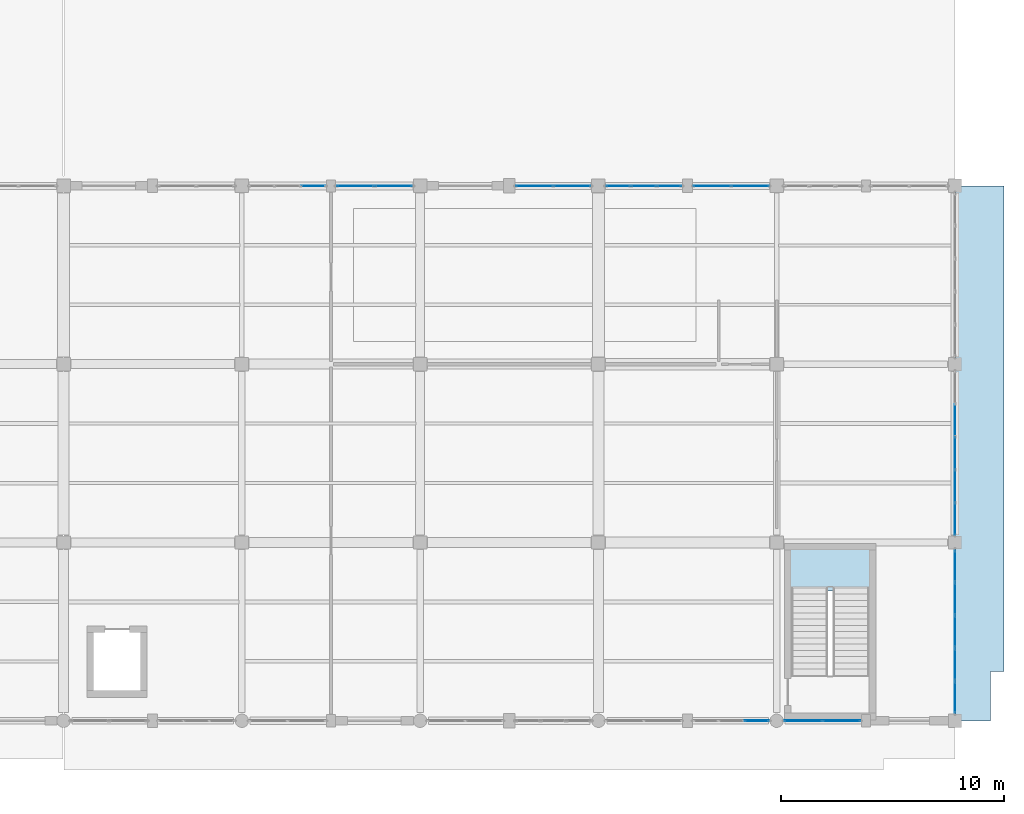
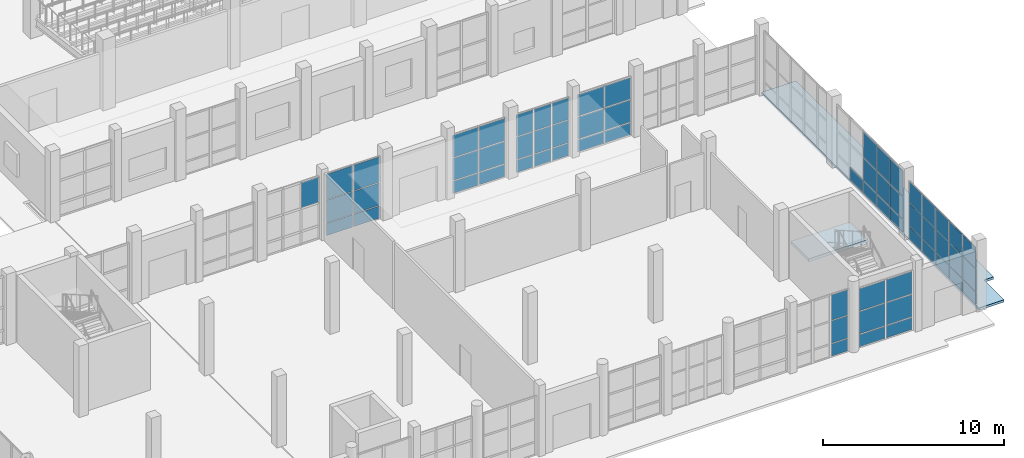
# One storey, part 115 of 156: 62 plates, 2 slabs, 10 elements without a shape of their own.
"""IFC4 building model written with IfcOpenShell, lengths in metres."""

from ifc_helpers import new_model, si_unit, direction, frame, origin, origin_2d, place, context, subcontext, project, spatial, polyline, rectangle, outline, extrude, material, layer, layer_set, type_object, element, aggregate, save


model = new_model("IFC4")

# Units and contexts
model_context = context("Model", 3, precision=1e-05, world=origin(), true_north=direction((0.0, 1.0)))
body_context = subcontext(model_context, "Body", "Model", "MODEL_VIEW")
ifc_project = project(units=[si_unit("LENGTHUNIT", "METRE"), si_unit("AREAUNIT", "SQUARE_METRE"), si_unit("VOLUMEUNIT", "CUBIC_METRE"), si_unit("PLANEANGLEUNIT", "RADIAN"), si_unit("MASSUNIT", "GRAM", prefix="KILO")], contexts=[model_context])

# Site, building, storey
site_placement = place(None, origin())
site = spatial("IfcSite", under=ifc_project, at=site_placement, CompositionType="ELEMENT")
building_placement = place(site_placement, origin())
building = spatial("IfcBuilding", under=site, at=building_placement, Name="Luwemba Playhouse", CompositionType="ELEMENT")
storey_placement = place(building_placement, origin())
storey = spatial("IfcBuildingStorey", under=building, at=storey_placement, Name="L00", CompositionType="ELEMENT", Elevation=0.0)

# Curtain wall, plates
ifc_material_1 = material(Name="Solar-control double glazing", Category="glass")
curtain_wall_type_1 = type_object("IfcCurtainWallType", Name="CW-CW54", PredefinedType="USERDEFINED", material=ifc_material_1)
curtain_wall_1_placement = place(storey_placement, origin())
curtain_wall_1 = element("IfcCurtainWall", 1, at=curtain_wall_1_placement, inside=storey, type_object=curtain_wall_type_1, Name="L00 V5E unitised curtain wall 063", ObjectType="UNITISED GLAZING", PredefinedType="USERDEFINED")
ifc_layer_1 = layer(ifc_material_1, 0.02392578125)
ifc_layer_set_1 = layer_set([ifc_layer_1], Name="Solar-control double glazing")
plate_type_1 = type_object("IfcPlateType", Name="CWP-P1", PredefinedType="CURTAIN_PANEL", material=ifc_layer_set_1)
plate_1_placement = place(storey_placement, frame((153.12744140625, 27.0, 0.06005859375), z_axis=(0.0, 0.0, 1.0), x_axis=(1.0, 0.0, 0.0)))
plate_1 = element("IfcPlate", 2, at=plate_1_placement, type_object=plate_type_1, Name="CW54 panel 1.1", PredefinedType="CURTAIN_PANEL", context=body_context, shape_type="SweptSolid", body=[
    extrude(rectangle(XDim=1.635009765625, YDim=0.02392578125, at=origin_2d()), origin(), (0.0, 0.0, 1.0), 0.81005859375),
])
plate_2_placement = place(storey_placement, frame((153.12744140625, 27.0, 0.93017578125), z_axis=(0.0, 0.0, 1.0), x_axis=(1.0, 0.0, 0.0)))
plate_2 = element("IfcPlate", 3, at=plate_2_placement, type_object=plate_type_1, Name="CW54 panel 1.2", PredefinedType="CURTAIN_PANEL", context=body_context, shape_type="SweptSolid", body=[
    extrude(rectangle(XDim=1.635009765625, YDim=0.02392578125, at=origin_2d()), origin(), (0.0, 0.0, 1.0), 1.489990234375),
])
plate_3_placement = place(storey_placement, frame((153.12744140625, 27.0, 2.47998046875), z_axis=(0.0, 0.0, 1.0), x_axis=(1.0, 0.0, 0.0)))
plate_3 = element("IfcPlate", 4, at=plate_3_placement, type_object=plate_type_1, Name="CW54 panel 1.3", PredefinedType="CURTAIN_PANEL", context=body_context, shape_type="SweptSolid", body=[
    extrude(rectangle(XDim=1.635009765625, YDim=0.02392578125, at=origin_2d()), origin(), (0.0, 0.0, 1.0), 1.4951171875),
])
plate_4_placement = place(storey_placement, frame((154.822509765625, 27.0, 0.06005859375), z_axis=(0.0, 0.0, 1.0), x_axis=(1.0, 0.0, 0.0)))
plate_4 = element("IfcPlate", 5, at=plate_4_placement, type_object=plate_type_1, Name="CW54 panel 2.1", PredefinedType="CURTAIN_PANEL", context=body_context, shape_type="SweptSolid", body=[
    extrude(rectangle(XDim=1.635009765625, YDim=0.02392578125, at=origin_2d()), origin(), (0.0, 0.0, 1.0), 0.81005859375),
])
plate_5_placement = place(storey_placement, frame((154.822509765625, 27.0, 0.93017578125), z_axis=(0.0, 0.0, 1.0), x_axis=(1.0, 0.0, 0.0)))
plate_5 = element("IfcPlate", 6, at=plate_5_placement, type_object=plate_type_1, Name="CW54 panel 2.2", PredefinedType="CURTAIN_PANEL", context=body_context, shape_type="SweptSolid", body=[
    extrude(rectangle(XDim=1.635009765625, YDim=0.02392578125, at=origin_2d()), origin(), (0.0, 0.0, 1.0), 1.489990234375),
])
plate_6_placement = place(storey_placement, frame((154.822509765625, 27.0, 2.47998046875), z_axis=(0.0, 0.0, 1.0), x_axis=(1.0, 0.0, 0.0)))
plate_6 = element("IfcPlate", 7, at=plate_6_placement, type_object=plate_type_1, Name="CW54 panel 2.3", PredefinedType="CURTAIN_PANEL", context=body_context, shape_type="SweptSolid", body=[
    extrude(rectangle(XDim=1.635009765625, YDim=0.02392578125, at=origin_2d()), origin(), (0.0, 0.0, 1.0), 1.4951171875),
])
aggregate(curtain_wall_1, [plate_1, plate_2, plate_3, plate_4, plate_5, plate_6])

curtain_wall_type_2 = type_object("IfcCurtainWallType", Name="CW-CW60", PredefinedType="USERDEFINED", material=ifc_material_1)
curtain_wall_2_placement = place(storey_placement, origin())
curtain_wall_2 = element("IfcCurtainWall", 8, at=curtain_wall_2_placement, inside=storey, type_object=curtain_wall_type_2, Name="L00 V5E unitised curtain wall 071", ObjectType="UNITISED GLAZING", PredefinedType="USERDEFINED")
plate_7_placement = place(storey_placement, frame((166.909912109375, 3.0, 0.06005859375), z_axis=(0.0, 0.0, 1.0), x_axis=(-1.0, 0.0, 0.0)))
plate_7 = element("IfcPlate", 9, at=plate_7_placement, type_object=plate_type_1, Name="CW60 panel 1.1", PredefinedType="CURTAIN_PANEL", context=body_context, shape_type="SweptSolid", body=[
    extrude(rectangle(XDim=1.659912109375, YDim=0.02392578125, at=origin_2d()), origin(), (0.0, 0.0, 1.0), 0.81005859375),
])
plate_8_placement = place(storey_placement, frame((166.909912109375, 3.0, 0.93017578125), z_axis=(0.0, 0.0, 1.0), x_axis=(-1.0, 0.0, 0.0)))
plate_8 = element("IfcPlate", 10, at=plate_8_placement, type_object=plate_type_1, Name="CW60 panel 1.2", PredefinedType="CURTAIN_PANEL", context=body_context, shape_type="SweptSolid", body=[
    extrude(rectangle(XDim=1.659912109375, YDim=0.02392578125, at=origin_2d()), origin(), (0.0, 0.0, 1.0), 1.489990234375),
])
plate_9_placement = place(storey_placement, frame((166.909912109375, 3.0, 2.47998046875), z_axis=(0.0, 0.0, 1.0), x_axis=(-1.0, 0.0, 0.0)))
plate_9 = element("IfcPlate", 11, at=plate_9_placement, type_object=plate_type_1, Name="CW60 panel 1.3", PredefinedType="CURTAIN_PANEL", context=body_context, shape_type="SweptSolid", body=[
    extrude(rectangle(XDim=1.659912109375, YDim=0.02392578125, at=origin_2d()), origin(), (0.0, 0.0, 1.0), 1.4951171875),
])
plate_10_placement = place(storey_placement, frame((165.18994140625, 3.0, 0.06005859375), z_axis=(0.0, 0.0, 1.0), x_axis=(-1.0, 0.0, 0.0)))
plate_10 = element("IfcPlate", 12, at=plate_10_placement, type_object=plate_type_1, Name="CW60 panel 2.1", PredefinedType="CURTAIN_PANEL", context=body_context, shape_type="SweptSolid", body=[
    extrude(rectangle(XDim=1.659912109375, YDim=0.02392578125, at=origin_2d()), origin(), (0.0, 0.0, 1.0), 0.81005859375),
])
plate_11_placement = place(storey_placement, frame((165.18994140625, 3.0, 0.93017578125), z_axis=(0.0, 0.0, 1.0), x_axis=(-1.0, 0.0, 0.0)))
plate_11 = element("IfcPlate", 13, at=plate_11_placement, type_object=plate_type_1, Name="CW60 panel 2.2", PredefinedType="CURTAIN_PANEL", context=body_context, shape_type="SweptSolid", body=[
    extrude(rectangle(XDim=1.659912109375, YDim=0.02392578125, at=origin_2d()), origin(), (0.0, 0.0, 1.0), 1.489990234375),
])
plate_12_placement = place(storey_placement, frame((165.18994140625, 3.0, 2.47998046875), z_axis=(0.0, 0.0, 1.0), x_axis=(-1.0, 0.0, 0.0)))
plate_12 = element("IfcPlate", 14, at=plate_12_placement, type_object=plate_type_1, Name="CW60 panel 2.3", PredefinedType="CURTAIN_PANEL", context=body_context, shape_type="SweptSolid", body=[
    extrude(rectangle(XDim=1.659912109375, YDim=0.02392578125, at=origin_2d()), origin(), (0.0, 0.0, 1.0), 1.4951171875),
])
aggregate(curtain_wall_2, [plate_7, plate_8, plate_9, plate_10, plate_11, plate_12])

curtain_wall_type_3 = type_object("IfcCurtainWallType", Name="CW-CW16", PredefinedType="USERDEFINED", material=ifc_material_1)
curtain_wall_3_placement = place(storey_placement, origin())
curtain_wall_3 = element("IfcCurtainWall", 15, at=curtain_wall_3_placement, inside=storey, type_object=curtain_wall_type_3, Name="L00 V5E unitised curtain wall 064", ObjectType="UNITISED GLAZING", PredefinedType="USERDEFINED")
ifc_layer_2 = layer(ifc_material_1, 0.028076171875)
ifc_layer_set_2 = layer_set([ifc_layer_2], Name="Solar-control double glazing")
plate_type_2 = type_object("IfcPlateType", Name="CWP-P2", PredefinedType="CURTAIN_PANEL", material=ifc_layer_set_2)
plate_13_placement = place(storey_placement, frame((156.8955078125, 27.0, 0.05517578125), z_axis=(0.0, 0.0, 1.0), x_axis=(1.0, 0.0, 0.0)))
plate_13 = element("IfcPlate", 16, at=plate_13_placement, type_object=plate_type_2, Name="CW16 panel 1.1", PredefinedType="CURTAIN_PANEL", context=body_context, shape_type="SweptSolid", body=[
    extrude(rectangle(XDim=1.060791015625, YDim=0.028076171875, at=origin_2d()), origin(), (0.0, 0.0, 1.0), 0.8173828125),
])
plate_14_placement = place(storey_placement, frame((156.8955078125, 27.0, 0.927490234375), z_axis=(0.0, 0.0, 1.0), x_axis=(1.0, 0.0, 0.0)))
plate_14 = element("IfcPlate", 17, at=plate_14_placement, type_object=plate_type_2, Name="CW16 panel 1.2", PredefinedType="CURTAIN_PANEL", context=body_context, shape_type="SweptSolid", body=[
    extrude(rectangle(XDim=1.060791015625, YDim=0.028076171875, at=origin_2d()), origin(), (0.0, 0.0, 1.0), 1.4951171875),
])
plate_15_placement = place(storey_placement, frame((156.8955078125, 27.0, 2.4775390625), z_axis=(0.0, 0.0, 1.0), x_axis=(1.0, 0.0, 0.0)))
plate_15 = element("IfcPlate", 18, at=plate_15_placement, type_object=plate_type_2, Name="CW16 panel 1.3", PredefinedType="CURTAIN_PANEL", context=body_context, shape_type="SweptSolid", body=[
    extrude(rectangle(XDim=1.060791015625, YDim=0.028076171875, at=origin_2d()), origin(), (0.0, 0.0, 1.0), 1.452392578125),
])
plate_16_placement = place(storey_placement, frame((158.03759765625, 27.0, 0.05517578125), z_axis=(0.0, 0.0, 1.0), x_axis=(1.0, 0.0, 0.0)))
plate_16 = element("IfcPlate", 19, at=plate_16_placement, type_object=plate_type_2, Name="CW16 panel 2.1", PredefinedType="CURTAIN_PANEL", context=body_context, shape_type="SweptSolid", body=[
    extrude(rectangle(XDim=1.09326171875, YDim=0.028076171875, at=origin_2d()), origin(), (0.0, 0.0, 1.0), 0.8173828125),
])
plate_17_placement = place(storey_placement, frame((158.03759765625, 27.0, 0.927490234375), z_axis=(0.0, 0.0, 1.0), x_axis=(1.0, 0.0, 0.0)))
plate_17 = element("IfcPlate", 20, at=plate_17_placement, type_object=plate_type_2, Name="CW16 panel 2.2", PredefinedType="CURTAIN_PANEL", context=body_context, shape_type="SweptSolid", body=[
    extrude(rectangle(XDim=1.09326171875, YDim=0.028076171875, at=origin_2d()), origin(), (0.0, 0.0, 1.0), 1.4951171875),
])
plate_18_placement = place(storey_placement, frame((158.03759765625, 27.0, 2.4775390625), z_axis=(0.0, 0.0, 1.0), x_axis=(1.0, 0.0, 0.0)))
plate_18 = element("IfcPlate", 21, at=plate_18_placement, type_object=plate_type_2, Name="CW16 panel 2.3", PredefinedType="CURTAIN_PANEL", context=body_context, shape_type="SweptSolid", body=[
    extrude(rectangle(XDim=1.09326171875, YDim=0.028076171875, at=origin_2d()), origin(), (0.0, 0.0, 1.0), 1.452392578125),
])
plate_19_placement = place(storey_placement, frame((159.1796875, 27.0, 0.05517578125), z_axis=(0.0, 0.0, 1.0), x_axis=(1.0, 0.0, 0.0)))
plate_19 = element("IfcPlate", 22, at=plate_19_placement, type_object=plate_type_2, Name="CW16 panel 3.1", PredefinedType="CURTAIN_PANEL", context=body_context, shape_type="SweptSolid", body=[
    extrude(rectangle(XDim=1.060791015625, YDim=0.028076171875, at=origin_2d()), origin(), (0.0, 0.0, 1.0), 0.8173828125),
])
plate_20_placement = place(storey_placement, frame((159.1796875, 27.0, 0.927490234375), z_axis=(0.0, 0.0, 1.0), x_axis=(1.0, 0.0, 0.0)))
plate_20 = element("IfcPlate", 23, at=plate_20_placement, type_object=plate_type_2, Name="CW16 panel 3.2", PredefinedType="CURTAIN_PANEL", context=body_context, shape_type="SweptSolid", body=[
    extrude(rectangle(XDim=1.060791015625, YDim=0.028076171875, at=origin_2d()), origin(), (0.0, 0.0, 1.0), 1.4951171875),
])
plate_21_placement = place(storey_placement, frame((159.1796875, 27.0, 2.4775390625), z_axis=(0.0, 0.0, 1.0), x_axis=(1.0, 0.0, 0.0)))
plate_21 = element("IfcPlate", 24, at=plate_21_placement, type_object=plate_type_2, Name="CW16 panel 3.3", PredefinedType="CURTAIN_PANEL", context=body_context, shape_type="SweptSolid", body=[
    extrude(rectangle(XDim=1.060791015625, YDim=0.028076171875, at=origin_2d()), origin(), (0.0, 0.0, 1.0), 1.452392578125),
])
aggregate(curtain_wall_3, [plate_13, plate_14, plate_15, plate_16, plate_17, plate_18, plate_19, plate_20, plate_21])

curtain_wall_type_4 = type_object("IfcCurtainWallType", Name="CW-CW61", PredefinedType="USERDEFINED", material=ifc_material_1)
curtain_wall_4_placement = place(storey_placement, origin())
curtain_wall_4 = element("IfcCurtainWall", 25, at=curtain_wall_4_placement, inside=storey, type_object=curtain_wall_type_4, Name="L00 V5E unitised curtain wall 072", ObjectType="UNITISED GLAZING", PredefinedType="USERDEFINED")
plate_22_placement = place(storey_placement, frame((163.1044921875, 3.0, 0.05517578125), z_axis=(0.0, 0.0, 1.0), x_axis=(-1.0, 0.0, 0.0)))
plate_22 = element("IfcPlate", 26, at=plate_22_placement, type_object=plate_type_2, Name="CW61 panel 1.1", PredefinedType="CURTAIN_PANEL", context=body_context, shape_type="SweptSolid", body=[
    extrude(rectangle(XDim=1.060791015625, YDim=0.028076171875, at=origin_2d()), origin(), (0.0, 0.0, 1.0), 0.8173828125),
])
plate_23_placement = place(storey_placement, frame((163.1044921875, 3.0, 0.927490234375), z_axis=(0.0, 0.0, 1.0), x_axis=(-1.0, 0.0, 0.0)))
plate_23 = element("IfcPlate", 27, at=plate_23_placement, type_object=plate_type_2, Name="CW61 panel 1.2", PredefinedType="CURTAIN_PANEL", context=body_context, shape_type="SweptSolid", body=[
    extrude(rectangle(XDim=1.060791015625, YDim=0.028076171875, at=origin_2d()), origin(), (0.0, 0.0, 1.0), 1.4951171875),
])
plate_24_placement = place(storey_placement, frame((163.1044921875, 3.0, 2.4775390625), z_axis=(0.0, 0.0, 1.0), x_axis=(-1.0, 0.0, 0.0)))
plate_24 = element("IfcPlate", 28, at=plate_24_placement, type_object=plate_type_2, Name="CW61 panel 1.3", PredefinedType="CURTAIN_PANEL", context=body_context, shape_type="SweptSolid", body=[
    extrude(rectangle(XDim=1.060791015625, YDim=0.028076171875, at=origin_2d()), origin(), (0.0, 0.0, 1.0), 1.702392578125),
])
aggregate(curtain_wall_4, [plate_22, plate_23, plate_24])

# Curtain wall, plate
curtain_wall_type_5 = type_object("IfcCurtainWallType", Name="CW-CW52", PredefinedType="USERDEFINED", material=ifc_material_1)
curtain_wall_5_placement = place(storey_placement, origin())
curtain_wall_5 = element("IfcCurtainWall", 29, at=curtain_wall_5_placement, inside=storey, type_object=curtain_wall_type_5, Name="L00 V5E unitised curtain wall 061", ObjectType="UNITISED GLAZING", PredefinedType="USERDEFINED")
ifc_layer_3 = layer(ifc_material_1, 0.031982421875)
ifc_layer_set_3 = layer_set([ifc_layer_3], Name="Solar-control double glazing")
plate_type_3 = type_object("IfcPlateType", Name="CWP-P3", PredefinedType="CURTAIN_PANEL", material=ifc_layer_set_3)
plate_25_placement = place(storey_placement, frame((143.202880859375, 27.0, 2.482421875), z_axis=(0.0, 0.0, 1.0), x_axis=(1.0, 0.0, 0.0)))
plate_25 = element("IfcPlate", 30, at=plate_25_placement, type_object=plate_type_3, Name="CW52 panel 3.3", PredefinedType="CURTAIN_PANEL", context=body_context, shape_type="SweptSolid", body=[
    extrude(rectangle(XDim=1.084228515625, YDim=0.031982421875, at=origin_2d()), origin(), (0.0, 0.0, 1.0), 1.6875),
])
aggregate(curtain_wall_5, [plate_25])

# Curtain wall, plates
curtain_wall_type_6 = type_object("IfcCurtainWallType", Name="CW-CW55", PredefinedType="USERDEFINED", material=ifc_material_1)
curtain_wall_6_placement = place(storey_placement, origin())
curtain_wall_6 = element("IfcCurtainWall", 31, at=curtain_wall_6_placement, inside=storey, type_object=curtain_wall_type_6, Name="L00 V5E unitised curtain wall 065", ObjectType="UNITISED GLAZING", PredefinedType="USERDEFINED")
plate_26_placement = place(storey_placement, frame((161.107421875, 27.0, 0.06494140625), z_axis=(0.0, 0.0, 1.0), x_axis=(1.0, 0.0, 0.0)))
plate_26 = element("IfcPlate", 32, at=plate_26_placement, type_object=plate_type_3, Name="CW55 panel 1.1", PredefinedType="CURTAIN_PANEL", context=body_context, shape_type="SweptSolid", body=[
    extrude(rectangle(XDim=1.655029296875, YDim=0.031982421875, at=origin_2d()), origin(), (0.0, 0.0, 1.0), 0.802490234375),
])
plate_27_placement = place(storey_placement, frame((161.107421875, 27.0, 0.9326171875), z_axis=(0.0, 0.0, 1.0), x_axis=(1.0, 0.0, 0.0)))
plate_27 = element("IfcPlate", 33, at=plate_27_placement, type_object=plate_type_3, Name="CW55 panel 1.2", PredefinedType="CURTAIN_PANEL", context=body_context, shape_type="SweptSolid", body=[
    extrude(rectangle(XDim=1.655029296875, YDim=0.031982421875, at=origin_2d()), origin(), (0.0, 0.0, 1.0), 1.485107421875),
])
plate_28_placement = place(storey_placement, frame((161.107421875, 27.0, 2.482421875), z_axis=(0.0, 0.0, 1.0), x_axis=(1.0, 0.0, 0.0)))
plate_28 = element("IfcPlate", 34, at=plate_28_placement, type_object=plate_type_3, Name="CW55 panel 1.3", PredefinedType="CURTAIN_PANEL", context=body_context, shape_type="SweptSolid", body=[
    extrude(rectangle(XDim=1.655029296875, YDim=0.031982421875, at=origin_2d()), origin(), (0.0, 0.0, 1.0), 1.4375),
])
plate_29_placement = place(storey_placement, frame((162.8173828125, 27.0, 0.06494140625), z_axis=(0.0, 0.0, 1.0), x_axis=(1.0, 0.0, 0.0)))
plate_29 = element("IfcPlate", 35, at=plate_29_placement, type_object=plate_type_3, Name="CW55 panel 2.1", PredefinedType="CURTAIN_PANEL", context=body_context, shape_type="SweptSolid", body=[
    extrude(rectangle(XDim=1.655029296875, YDim=0.031982421875, at=origin_2d()), origin(), (0.0, 0.0, 1.0), 0.802490234375),
])
plate_30_placement = place(storey_placement, frame((162.8173828125, 27.0, 0.9326171875), z_axis=(0.0, 0.0, 1.0), x_axis=(1.0, 0.0, 0.0)))
plate_30 = element("IfcPlate", 36, at=plate_30_placement, type_object=plate_type_3, Name="CW55 panel 2.2", PredefinedType="CURTAIN_PANEL", context=body_context, shape_type="SweptSolid", body=[
    extrude(rectangle(XDim=1.655029296875, YDim=0.031982421875, at=origin_2d()), origin(), (0.0, 0.0, 1.0), 1.485107421875),
])
plate_31_placement = place(storey_placement, frame((162.8173828125, 27.0, 2.482421875), z_axis=(0.0, 0.0, 1.0), x_axis=(1.0, 0.0, 0.0)))
plate_31 = element("IfcPlate", 37, at=plate_31_placement, type_object=plate_type_3, Name="CW55 panel 2.3", PredefinedType="CURTAIN_PANEL", context=body_context, shape_type="SweptSolid", body=[
    extrude(rectangle(XDim=1.655029296875, YDim=0.031982421875, at=origin_2d()), origin(), (0.0, 0.0, 1.0), 1.4375),
])
aggregate(curtain_wall_6, [plate_26, plate_27, plate_28, plate_29, plate_30, plate_31])

curtain_wall_type_7 = type_object("IfcCurtainWallType", Name="CW-CW59", PredefinedType="USERDEFINED", material=ifc_material_1)
curtain_wall_7_placement = place(storey_placement, origin())
curtain_wall_7 = element("IfcCurtainWall", 38, at=curtain_wall_7_placement, inside=storey, type_object=curtain_wall_type_7, Name="L00 V5E unitised curtain wall 069", ObjectType="UNITISED GLAZING", PredefinedType="USERDEFINED")
plate_32_placement = place(storey_placement, frame((172.0, 16.47998046875, 0.06494140625), z_axis=(0.0, 0.0, 1.0), x_axis=(0.0, -1.0, 0.0)))
plate_32 = element("IfcPlate", 39, at=plate_32_placement, type_object=plate_type_3, Name="CW59 panel 2.1", PredefinedType="CURTAIN_PANEL", context=body_context, shape_type="SweptSolid", body=[
    extrude(rectangle(XDim=1.425048828125, YDim=0.031982421875, at=origin_2d()), origin(), (0.0, 0.0, 1.0), 0.802490234375),
])
plate_33_placement = place(storey_placement, frame((172.0, 15.0, 0.06494140625), z_axis=(0.0, 0.0, 1.0), x_axis=(0.0, -1.0, 0.0)))
plate_33 = element("IfcPlate", 40, at=plate_33_placement, type_object=plate_type_3, Name="CW59 panel 3.1", PredefinedType="CURTAIN_PANEL", context=body_context, shape_type="SweptSolid", body=[
    extrude(rectangle(XDim=1.425048828125, YDim=0.031982421875, at=origin_2d()), origin(), (0.0, 0.0, 1.0), 0.802490234375),
])
plate_34_placement = place(storey_placement, frame((172.0, 15.0, 0.9326171875), z_axis=(0.0, 0.0, 1.0), x_axis=(0.0, -1.0, 0.0)))
plate_34 = element("IfcPlate", 41, at=plate_34_placement, type_object=plate_type_3, Name="CW59 panel 3.2", PredefinedType="CURTAIN_PANEL", context=body_context, shape_type="SweptSolid", body=[
    extrude(rectangle(XDim=1.425048828125, YDim=0.031982421875, at=origin_2d()), origin(), (0.0, 0.0, 1.0), 1.485107421875),
])
plate_35_placement = place(storey_placement, frame((172.0, 15.0, 2.482421875), z_axis=(0.0, 0.0, 1.0), x_axis=(0.0, -1.0, 0.0)))
plate_35 = element("IfcPlate", 42, at=plate_35_placement, type_object=plate_type_3, Name="CW59 panel 3.3", PredefinedType="CURTAIN_PANEL", context=body_context, shape_type="SweptSolid", body=[
    extrude(rectangle(XDim=1.425048828125, YDim=0.031982421875, at=origin_2d()), origin(), (0.0, 0.0, 1.0), 1.6875),
])
plate_36_placement = place(storey_placement, frame((172.0, 13.52001953125, 0.06494140625), z_axis=(0.0, 0.0, 1.0), x_axis=(0.0, -1.0, 0.0)))
plate_36 = element("IfcPlate", 43, at=plate_36_placement, type_object=plate_type_3, Name="CW59 panel 4.1", PredefinedType="CURTAIN_PANEL", context=body_context, shape_type="SweptSolid", body=[
    extrude(rectangle(XDim=1.425048828125, YDim=0.031982421875, at=origin_2d()), origin(), (0.0, 0.0, 1.0), 0.802490234375),
])
plate_37_placement = place(storey_placement, frame((172.0, 13.52001953125, 0.9326171875), z_axis=(0.0, 0.0, 1.0), x_axis=(0.0, -1.0, 0.0)))
plate_37 = element("IfcPlate", 44, at=plate_37_placement, type_object=plate_type_3, Name="CW59 panel 4.2", PredefinedType="CURTAIN_PANEL", context=body_context, shape_type="SweptSolid", body=[
    extrude(rectangle(XDim=1.425048828125, YDim=0.031982421875, at=origin_2d()), origin(), (0.0, 0.0, 1.0), 1.485107421875),
])
plate_38_placement = place(storey_placement, frame((172.0, 13.52001953125, 2.482421875), z_axis=(0.0, 0.0, 1.0), x_axis=(0.0, -1.0, 0.0)))
plate_38 = element("IfcPlate", 45, at=plate_38_placement, type_object=plate_type_3, Name="CW59 panel 4.3", PredefinedType="CURTAIN_PANEL", context=body_context, shape_type="SweptSolid", body=[
    extrude(rectangle(XDim=1.425048828125, YDim=0.031982421875, at=origin_2d()), origin(), (0.0, 0.0, 1.0), 1.6875),
])
plate_39_placement = place(storey_placement, frame((172.0, 12.0537109375, 0.06494140625), z_axis=(0.0, 0.0, 1.0), x_axis=(0.0, -1.0, 0.0)))
plate_39 = element("IfcPlate", 46, at=plate_39_placement, type_object=plate_type_3, Name="CW59 panel 5.1", PredefinedType="CURTAIN_PANEL", context=body_context, shape_type="SweptSolid", body=[
    extrude(rectangle(XDim=1.3974609375, YDim=0.031982421875, at=origin_2d()), origin(), (0.0, 0.0, 1.0), 0.802490234375),
])
plate_40_placement = place(storey_placement, frame((172.0, 12.0537109375, 0.9326171875), z_axis=(0.0, 0.0, 1.0), x_axis=(0.0, -1.0, 0.0)))
plate_40 = element("IfcPlate", 47, at=plate_40_placement, type_object=plate_type_3, Name="CW59 panel 5.2", PredefinedType="CURTAIN_PANEL", context=body_context, shape_type="SweptSolid", body=[
    extrude(rectangle(XDim=1.3974609375, YDim=0.031982421875, at=origin_2d()), origin(), (0.0, 0.0, 1.0), 1.485107421875),
])
plate_41_placement = place(storey_placement, frame((172.0, 12.0537109375, 2.482421875), z_axis=(0.0, 0.0, 1.0), x_axis=(0.0, -1.0, 0.0)))
plate_41 = element("IfcPlate", 48, at=plate_41_placement, type_object=plate_type_3, Name="CW59 panel 5.3", PredefinedType="CURTAIN_PANEL", context=body_context, shape_type="SweptSolid", body=[
    extrude(rectangle(XDim=1.3974609375, YDim=0.031982421875, at=origin_2d()), origin(), (0.0, 0.0, 1.0), 1.6875),
])
aggregate(curtain_wall_7, [plate_32, plate_33, plate_34, plate_35, plate_36, plate_37, plate_38, plate_39, plate_40, plate_41])

curtain_wall_type_8 = type_object("IfcCurtainWallType", Name="CW-CW53", PredefinedType="USERDEFINED", material=ifc_material_1)
curtain_wall_8_placement = place(storey_placement, origin())
curtain_wall_8 = element("IfcCurtainWall", 49, at=curtain_wall_8_placement, inside=storey, type_object=curtain_wall_type_8, Name="L00 V5E unitised curtain wall 062", ObjectType="UNITISED GLAZING", PredefinedType="USERDEFINED")
ifc_layer_4 = layer(ifc_material_1, 0.035888671875)
ifc_layer_set_4 = layer_set([ifc_layer_4], Name="Solar-control double glazing")
plate_type_4 = type_object("IfcPlateType", Name="CWP-P4", PredefinedType="CURTAIN_PANEL", material=ifc_layer_set_4)
plate_42_placement = place(storey_placement, frame((145.092529296875, 27.0, 0.0498046875), z_axis=(0.0, 0.0, 1.0), x_axis=(1.0, 0.0, 0.0)))
plate_42 = element("IfcPlate", 50, at=plate_42_placement, type_object=plate_type_4, Name="CW53 panel 1.1", PredefinedType="CURTAIN_PANEL", context=body_context, shape_type="SweptSolid", body=[
    extrude(rectangle(XDim=1.64501953125, YDim=0.035888671875, at=origin_2d()), origin(), (0.0, 0.0, 1.0), 0.824951171875),
])
plate_43_placement = place(storey_placement, frame((145.092529296875, 27.0, 0.925048828125), z_axis=(0.0, 0.0, 1.0), x_axis=(1.0, 0.0, 0.0)))
plate_43 = element("IfcPlate", 51, at=plate_43_placement, type_object=plate_type_4, Name="CW53 panel 1.2", PredefinedType="CURTAIN_PANEL", context=body_context, shape_type="SweptSolid", body=[
    extrude(rectangle(XDim=1.64501953125, YDim=0.035888671875, at=origin_2d()), origin(), (0.0, 0.0, 1.0), 1.5),
])
plate_44_placement = place(storey_placement, frame((145.092529296875, 27.0, 2.47509765625), z_axis=(0.0, 0.0, 1.0), x_axis=(1.0, 0.0, 0.0)))
plate_44 = element("IfcPlate", 52, at=plate_44_placement, type_object=plate_type_4, Name="CW53 panel 1.3", PredefinedType="CURTAIN_PANEL", context=body_context, shape_type="SweptSolid", body=[
    extrude(rectangle(XDim=1.64501953125, YDim=0.035888671875, at=origin_2d()), origin(), (0.0, 0.0, 1.0), 1.7099609375),
])
plate_45_placement = place(storey_placement, frame((146.8076171875, 27.0, 0.0498046875), z_axis=(0.0, 0.0, 1.0), x_axis=(1.0, 0.0, 0.0)))
plate_45 = element("IfcPlate", 53, at=plate_45_placement, type_object=plate_type_4, Name="CW53 panel 2.1", PredefinedType="CURTAIN_PANEL", context=body_context, shape_type="SweptSolid", body=[
    extrude(rectangle(XDim=1.64501953125, YDim=0.035888671875, at=origin_2d()), origin(), (0.0, 0.0, 1.0), 0.824951171875),
])
plate_46_placement = place(storey_placement, frame((146.8076171875, 27.0, 0.925048828125), z_axis=(0.0, 0.0, 1.0), x_axis=(1.0, 0.0, 0.0)))
plate_46 = element("IfcPlate", 54, at=plate_46_placement, type_object=plate_type_4, Name="CW53 panel 2.2", PredefinedType="CURTAIN_PANEL", context=body_context, shape_type="SweptSolid", body=[
    extrude(rectangle(XDim=1.64501953125, YDim=0.035888671875, at=origin_2d()), origin(), (0.0, 0.0, 1.0), 1.5),
])
plate_47_placement = place(storey_placement, frame((146.8076171875, 27.0, 2.47509765625), z_axis=(0.0, 0.0, 1.0), x_axis=(1.0, 0.0, 0.0)))
plate_47 = element("IfcPlate", 55, at=plate_47_placement, type_object=plate_type_4, Name="CW53 panel 2.3", PredefinedType="CURTAIN_PANEL", context=body_context, shape_type="SweptSolid", body=[
    extrude(rectangle(XDim=1.64501953125, YDim=0.035888671875, at=origin_2d()), origin(), (0.0, 0.0, 1.0), 1.7099609375),
])
aggregate(curtain_wall_8, [plate_42, plate_43, plate_44, plate_45, plate_46, plate_47])

curtain_wall_type_9 = type_object("IfcCurtainWallType", Name="CW-CW06", PredefinedType="USERDEFINED", material=ifc_material_1)
curtain_wall_9_placement = place(storey_placement, origin())
curtain_wall_9 = element("IfcCurtainWall", 56, at=curtain_wall_9_placement, inside=storey, type_object=curtain_wall_type_9, Name="L00 V5E unitised curtain wall 070", ObjectType="UNITISED GLAZING", PredefinedType="USERDEFINED")
plate_48_placement = place(storey_placement, frame((172.0, 9.9423828125, 0.0498046875), z_axis=(0.0, 0.0, 1.0), x_axis=(0.0, -1.0, 0.0)))
plate_48 = element("IfcPlate", 57, at=plate_48_placement, type_object=plate_type_4, Name="CW06 panel 1.1", PredefinedType="CURTAIN_PANEL", context=body_context, shape_type="SweptSolid", body=[
    extrude(rectangle(XDim=1.375, YDim=0.035888671875, at=origin_2d()), origin(), (0.0, 0.0, 1.0), 0.824951171875),
])
plate_49_placement = place(storey_placement, frame((172.0, 9.9423828125, 0.925048828125), z_axis=(0.0, 0.0, 1.0), x_axis=(0.0, -1.0, 0.0)))
plate_49 = element("IfcPlate", 58, at=plate_49_placement, type_object=plate_type_4, Name="CW06 panel 1.2", PredefinedType="CURTAIN_PANEL", context=body_context, shape_type="SweptSolid", body=[
    extrude(rectangle(XDim=1.375, YDim=0.035888671875, at=origin_2d()), origin(), (0.0, 0.0, 1.0), 1.5),
])
plate_50_placement = place(storey_placement, frame((172.0, 9.9423828125, 2.47509765625), z_axis=(0.0, 0.0, 1.0), x_axis=(0.0, -1.0, 0.0)))
plate_50 = element("IfcPlate", 59, at=plate_50_placement, type_object=plate_type_4, Name="CW06 panel 1.3", PredefinedType="CURTAIN_PANEL", context=body_context, shape_type="SweptSolid", body=[
    extrude(rectangle(XDim=1.375, YDim=0.035888671875, at=origin_2d()), origin(), (0.0, 0.0, 1.0), 1.409912109375),
])
plate_51_placement = place(storey_placement, frame((172.0, 8.47998046875, 0.0498046875), z_axis=(0.0, 0.0, 1.0), x_axis=(0.0, -1.0, 0.0)))
plate_51 = element("IfcPlate", 60, at=plate_51_placement, type_object=plate_type_4, Name="CW06 panel 2.1", PredefinedType="CURTAIN_PANEL", context=body_context, shape_type="SweptSolid", body=[
    extrude(rectangle(XDim=1.409912109375, YDim=0.035888671875, at=origin_2d()), origin(), (0.0, 0.0, 1.0), 0.824951171875),
])
plate_52_placement = place(storey_placement, frame((172.0, 8.47998046875, 0.925048828125), z_axis=(0.0, 0.0, 1.0), x_axis=(0.0, -1.0, 0.0)))
plate_52 = element("IfcPlate", 61, at=plate_52_placement, type_object=plate_type_4, Name="CW06 panel 2.2", PredefinedType="CURTAIN_PANEL", context=body_context, shape_type="SweptSolid", body=[
    extrude(rectangle(XDim=1.409912109375, YDim=0.035888671875, at=origin_2d()), origin(), (0.0, 0.0, 1.0), 1.5),
])
plate_53_placement = place(storey_placement, frame((172.0, 8.47998046875, 2.47509765625), z_axis=(0.0, 0.0, 1.0), x_axis=(0.0, -1.0, 0.0)))
plate_53 = element("IfcPlate", 62, at=plate_53_placement, type_object=plate_type_4, Name="CW06 panel 2.3", PredefinedType="CURTAIN_PANEL", context=body_context, shape_type="SweptSolid", body=[
    extrude(rectangle(XDim=1.409912109375, YDim=0.035888671875, at=origin_2d()), origin(), (0.0, 0.0, 1.0), 1.409912109375),
])
plate_54_placement = place(storey_placement, frame((172.0, 7.0, 0.0498046875), z_axis=(0.0, 0.0, 1.0), x_axis=(0.0, -1.0, 0.0)))
plate_54 = element("IfcPlate", 63, at=plate_54_placement, type_object=plate_type_4, Name="CW06 panel 3.1", PredefinedType="CURTAIN_PANEL", context=body_context, shape_type="SweptSolid", body=[
    extrude(rectangle(XDim=1.409912109375, YDim=0.035888671875, at=origin_2d()), origin(), (0.0, 0.0, 1.0), 0.824951171875),
])
plate_55_placement = place(storey_placement, frame((172.0, 7.0, 0.925048828125), z_axis=(0.0, 0.0, 1.0), x_axis=(0.0, -1.0, 0.0)))
plate_55 = element("IfcPlate", 64, at=plate_55_placement, type_object=plate_type_4, Name="CW06 panel 3.2", PredefinedType="CURTAIN_PANEL", context=body_context, shape_type="SweptSolid", body=[
    extrude(rectangle(XDim=1.409912109375, YDim=0.035888671875, at=origin_2d()), origin(), (0.0, 0.0, 1.0), 1.5),
])
plate_56_placement = place(storey_placement, frame((172.0, 7.0, 2.47509765625), z_axis=(0.0, 0.0, 1.0), x_axis=(0.0, -1.0, 0.0)))
plate_56 = element("IfcPlate", 65, at=plate_56_placement, type_object=plate_type_4, Name="CW06 panel 3.3", PredefinedType="CURTAIN_PANEL", context=body_context, shape_type="SweptSolid", body=[
    extrude(rectangle(XDim=1.409912109375, YDim=0.035888671875, at=origin_2d()), origin(), (0.0, 0.0, 1.0), 1.409912109375),
])
plate_57_placement = place(storey_placement, frame((172.0, 5.52001953125, 0.0498046875), z_axis=(0.0, 0.0, 1.0), x_axis=(0.0, -1.0, 0.0)))
plate_57 = element("IfcPlate", 66, at=plate_57_placement, type_object=plate_type_4, Name="CW06 panel 4.1", PredefinedType="CURTAIN_PANEL", context=body_context, shape_type="SweptSolid", body=[
    extrude(rectangle(XDim=1.409912109375, YDim=0.035888671875, at=origin_2d()), origin(), (0.0, 0.0, 1.0), 0.824951171875),
])
plate_58_placement = place(storey_placement, frame((172.0, 5.52001953125, 0.925048828125), z_axis=(0.0, 0.0, 1.0), x_axis=(0.0, -1.0, 0.0)))
plate_58 = element("IfcPlate", 67, at=plate_58_placement, type_object=plate_type_4, Name="CW06 panel 4.2", PredefinedType="CURTAIN_PANEL", context=body_context, shape_type="SweptSolid", body=[
    extrude(rectangle(XDim=1.409912109375, YDim=0.035888671875, at=origin_2d()), origin(), (0.0, 0.0, 1.0), 1.5),
])
plate_59_placement = place(storey_placement, frame((172.0, 5.52001953125, 2.47509765625), z_axis=(0.0, 0.0, 1.0), x_axis=(0.0, -1.0, 0.0)))
plate_59 = element("IfcPlate", 68, at=plate_59_placement, type_object=plate_type_4, Name="CW06 panel 4.3", PredefinedType="CURTAIN_PANEL", context=body_context, shape_type="SweptSolid", body=[
    extrude(rectangle(XDim=1.409912109375, YDim=0.035888671875, at=origin_2d()), origin(), (0.0, 0.0, 1.0), 1.409912109375),
])
plate_60_placement = place(storey_placement, frame((172.0, 4.0576171875, 0.0498046875), z_axis=(0.0, 0.0, 1.0), x_axis=(0.0, -1.0, 0.0)))
plate_60 = element("IfcPlate", 69, at=plate_60_placement, type_object=plate_type_4, Name="CW06 panel 5.1", PredefinedType="CURTAIN_PANEL", context=body_context, shape_type="SweptSolid", body=[
    extrude(rectangle(XDim=1.375, YDim=0.035888671875, at=origin_2d()), origin(), (0.0, 0.0, 1.0), 0.824951171875),
])
plate_61_placement = place(storey_placement, frame((172.0, 4.0576171875, 0.925048828125), z_axis=(0.0, 0.0, 1.0), x_axis=(0.0, -1.0, 0.0)))
plate_61 = element("IfcPlate", 70, at=plate_61_placement, type_object=plate_type_4, Name="CW06 panel 5.2", PredefinedType="CURTAIN_PANEL", context=body_context, shape_type="SweptSolid", body=[
    extrude(rectangle(XDim=1.375, YDim=0.035888671875, at=origin_2d()), origin(), (0.0, 0.0, 1.0), 1.5),
])
plate_62_placement = place(storey_placement, frame((172.0, 4.0576171875, 2.47509765625), z_axis=(0.0, 0.0, 1.0), x_axis=(0.0, -1.0, 0.0)))
plate_62 = element("IfcPlate", 71, at=plate_62_placement, type_object=plate_type_4, Name="CW06 panel 5.3", PredefinedType="CURTAIN_PANEL", context=body_context, shape_type="SweptSolid", body=[
    extrude(rectangle(XDim=1.375, YDim=0.035888671875, at=origin_2d()), origin(), (0.0, 0.0, 1.0), 1.409912109375),
])
aggregate(curtain_wall_9, [plate_48, plate_49, plate_50, plate_51, plate_52, plate_53, plate_54, plate_55, plate_56, plate_57, plate_58, plate_59, plate_60, plate_61, plate_62])

# Stair, slab
ifc_material_2 = material(Name="Concrete C40/50", Category="concrete")
stair_type = type_object("IfcStairType", Name="STR-DL-03", PredefinedType="HALF_TURN_STAIR", material=ifc_material_2)
stair_placement = place(storey_placement, origin())
stair = element("IfcStair", 72, at=stair_placement, inside=storey, type_object=stair_type, Name="L00 Metro Concourse South-East Escape Stair", PredefinedType="HALF_TURN_STAIR")
ifc_layer_5 = layer(ifc_material_2, 0.215087890625)
ifc_layer_set_5 = layer_set([ifc_layer_5], Name="Concrete C40/50")
slab_type_1 = type_object("IfcSlabType", Name="SLB-LND-215", PredefinedType="LANDING", material=ifc_layer_set_5)
slab_1_placement = place(storey_placement, frame((0.0, 0.0, 2.199951171875)))
slab_1 = element("IfcSlab", 73, at=slab_1_placement, type_object=slab_type_1, Name="ST-05 landing 1", PredefinedType="LANDING", context=body_context, shape_type="SweptSolid", body=[
    extrude(outline(polyline([(168.2900390625, 8.820068359375), (164.510009765625, 8.820068359375), (164.510009765625, 10.800048828125), (168.2900390625, 10.800048828125), (168.2900390625, 8.820068359375)])), origin(), (0.0, 0.0, 1.0), 0.199951171875),
])
aggregate(stair, [slab_1])

# Slab
ifc_material_3 = material(Name="Concrete C32/40", Category="concrete")
ifc_layer_6 = layer(ifc_material_3, 0.159912109375)
ifc_layer_set_6 = layer_set([ifc_layer_6], Name="Concrete C32/40")
slab_type_2 = type_object("IfcSlabType", Name="SLB-PAV-160", PredefinedType="USERDEFINED", material=ifc_layer_set_6)
slab_2_placement = place(storey_placement, frame((0.0, 0.0, -0.159912109375)))
element("IfcSlab", 74, at=slab_2_placement, inside=storey, type_object=slab_type_2, Name="L00 external civic plaza paving PAV-EAST-V5E", ObjectType="PAVING", PredefinedType="USERDEFINED", context=body_context, shape_type="SweptSolid", body=[
    extrude(outline(polyline([(172.0, 3.0), (173.60009765625, 3.0), (173.60009765625, 5.199951171875), (174.199951171875, 5.199951171875), (174.199951171875, 27.0), (172.0, 27.0), (172.0, 3.0)])), origin(), (0.0, 0.0, 1.0), 0.159912109375),
])

save(model, "model.ifc")
